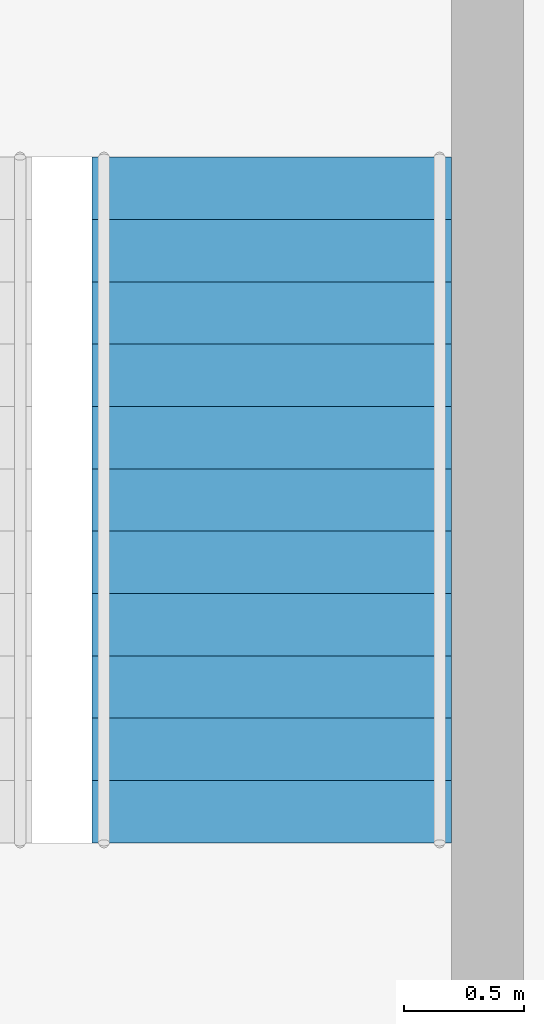
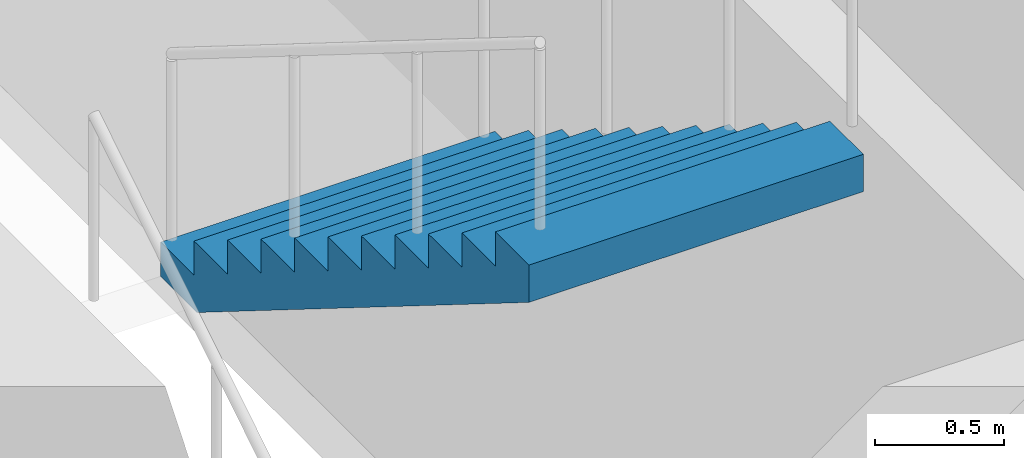
# One storey, part 11 of 12: 1 stair flight, 1 element without a shape of its own.
"""IFC4 building model written with IfcOpenShell, lengths in metres."""

from ifc_helpers import new_model, si_unit, direction, frame, origin, place, context, subcontext, project, spatial, polyline, outline, extrude, material, type_object, element, aggregate, save


model = new_model("IFC4")

# Units and contexts
model_context = context("Model", 3, precision=1e-05, world=origin(), true_north=direction((0.0, 1.0)))
body_context = subcontext(model_context, "Body", "Model", "MODEL_VIEW")
ifc_project = project(units=[si_unit("LENGTHUNIT", "METRE"), si_unit("AREAUNIT", "SQUARE_METRE"), si_unit("VOLUMEUNIT", "CUBIC_METRE"), si_unit("PLANEANGLEUNIT", "RADIAN"), si_unit("MASSUNIT", "GRAM", prefix="KILO")], contexts=[model_context])

# Site, building, storey
site_placement = place(None, origin())
site = spatial("IfcSite", under=ifc_project, at=site_placement, CompositionType="ELEMENT")
building_placement = place(site_placement, origin())
building = spatial("IfcBuilding", under=site, at=building_placement, Name="Highveld Stack Headquarters", CompositionType="ELEMENT")
storey_placement = place(building_placement, frame((0.0, 0.0, 45.5)))
storey = spatial("IfcBuildingStorey", under=building, at=storey_placement, Name="L10", CompositionType="ELEMENT", Elevation=45.5)

# Stair, stair flight
ifc_material_1 = material(Name="Concrete C40/50, precast", Category="concrete")
stair_type = type_object("IfcStairType", Name="STAIR S1 HALF TURN 1500", PredefinedType="HALF_TURN_STAIR", material=ifc_material_1)
stair_placement = place(storey_placement, origin())
stair = element("IfcStair", 1, at=stair_placement, inside=storey, type_object=stair_type, Name="Stair S1 L10", PredefinedType="HALF_TURN_STAIR")
ifc_material_2 = material(Name="Concrete C40/50, precast", Category="concrete")
stair_flight_type = type_object("IfcStairFlightType", Name="STAIR FLIGHT 1500 PRECAST", PredefinedType="STRAIGHT", material=ifc_material_2)
stair_flight_placement = place(storey_placement, frame((-3.10009765625, 7.610107421875, 1.949951171875), z_axis=(0.0, 0.0, 1.0), x_axis=(0.0, -1.0, 0.0)))
stair_flight = element("IfcStairFlight", 2, at=stair_flight_placement, type_object=stair_flight_type, Name="S1 flight 2", NumberOfRisers=12, NumberOfTreads=11, PredefinedType="STRAIGHT", RiserHeight=0.1625, TreadLength=0.26, context=body_context, shape_type="SweptSolid", body=[
    extrude(outline(polyline([(0.0, 0.0), (0.0, 0.16259765625), (0.260009765625, 0.16259765625), (0.260009765625, 0.324951171875), (0.52001953125, 0.324951171875), (0.52001953125, 0.487548828125), (0.780029296875, 0.487548828125), (0.780029296875, 0.64990234375), (1.0400390625, 0.64990234375), (1.0400390625, 0.8125), (1.300048828125, 0.8125), (1.300048828125, 0.97509765625), (1.56005859375, 0.97509765625), (1.56005859375, 1.137451171875), (1.820068359375, 1.137451171875), (1.820068359375, 1.300048828125), (2.080078125, 1.300048828125), (2.080078125, 1.46240234375), (2.340087890625, 1.46240234375), (2.340087890625, 1.625), (2.60009765625, 1.625), (2.60009765625, 1.78759765625), (2.860107421875, 1.78759765625), (2.860107421875, 1.949951171875), (2.860107421875, 1.61083984375), (0.28271484375, 0.0), (0.0, 0.0)])), frame((0.0, 0.75, 0.0), z_axis=(0.0, -1.0, 0.0), x_axis=(1.0, 0.0, 0.0)), (0.0, 0.0, 1.0), 1.5),
])
aggregate(stair, [stair_flight])

save(model, "model.ifc")
